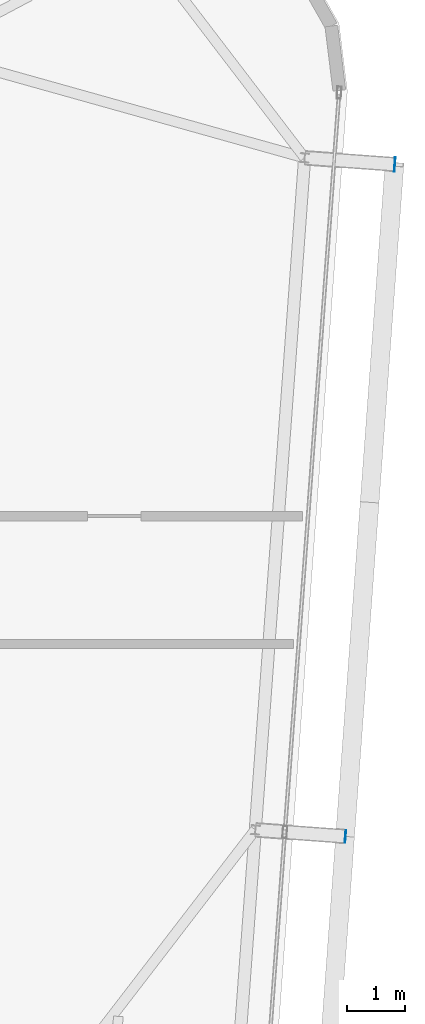
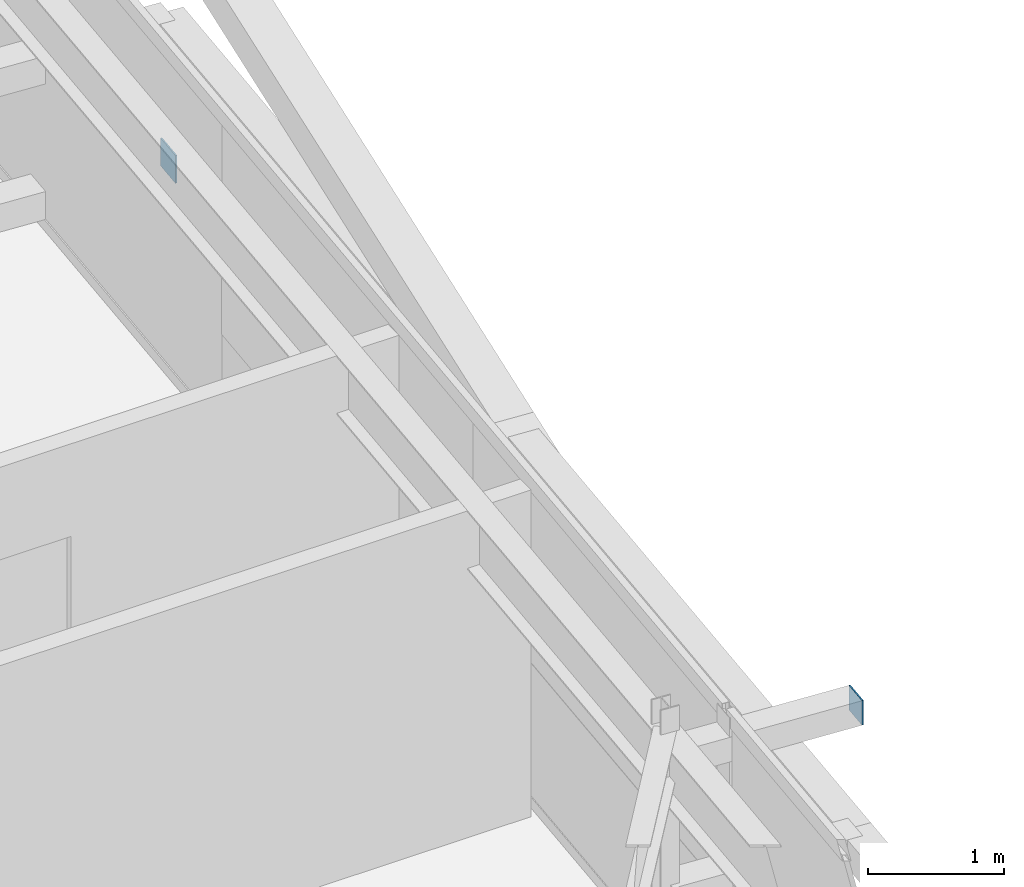
# One storey, part 28 of 34: 2 plates.
"""IFC4 building model written with IfcOpenShell, lengths in metres."""

from ifc_helpers import new_model, si_unit, direction, frame, origin, origin_2d, place, context, subcontext, project, spatial, rectangle, extrude, source, transform, mapped, material, layer, layer_set, type_object, element, save


model = new_model("IFC4")

# Units and contexts
model_context = context("Model", 3, precision=1e-05, world=origin(), true_north=direction((0.0, 1.0)))
body_context = subcontext(model_context, "Body", "Model", "MODEL_VIEW")
ifc_project = project(units=[si_unit("LENGTHUNIT", "METRE"), si_unit("AREAUNIT", "SQUARE_METRE"), si_unit("VOLUMEUNIT", "CUBIC_METRE"), si_unit("PLANEANGLEUNIT", "RADIAN"), si_unit("MASSUNIT", "GRAM", prefix="KILO")], contexts=[model_context])

# Site, building, storey
site_placement = place(None, origin())
site = spatial("IfcSite", under=ifc_project, at=site_placement, CompositionType="ELEMENT")
building_placement = place(site_placement, origin())
building = spatial("IfcBuilding", under=site, at=building_placement, Name="Taldren Reach Tower", CompositionType="ELEMENT")
storey_placement = place(building_placement, frame((0.0, 0.0, 246.050048828125)))
storey = spatial("IfcBuildingStorey", under=building, at=storey_placement, Name="L75", CompositionType="ELEMENT", Elevation=246.050048828125)

# Plates
ifc_material_1 = material(Name="Steel Gr 350 (C350L0)", Category="steel")
ifc_layer_1 = layer(ifc_material_1, 0.011962890625)
ifc_layer_set_1 = layer_set([ifc_layer_1], Name="Steel Gr 350 (C350L0)")
plate_type_1 = type_object("IfcPlateType", Name="PL-CAP-250", PredefinedType="SHEET", material=ifc_layer_set_1)
shared_shape_1 = source(origin(), body_context, "Body", "SweptSolid", [
    extrude(rectangle(XDim=0.011962890625, YDim=0.25, at=origin_2d()), origin(), (0.0, 0.0, 1.0), 0.25),
])
plate_1_placement = place(storey_placement, frame((59.0927734375, 30.0546875, 0.094970703125), z_axis=(0.0, 0.0, 1.0), x_axis=(0.997314477224, -0.073238197128, 0.0)))
element("IfcPlate", 1, at=plate_1_placement, inside=storey, type_object=plate_type_1, Name="Tie strut end cap plate B5-E3 L75", PredefinedType="SHEET", context=body_context, shape_type="MappedRepresentation", body=[
    mapped(shared_shape_1, transform((0.0, 0.0, 0.0), scale=1.0)),
])
ifc_material_2 = material(Name="Steel Gr 450 (C450L0)", Category="steel")
ifc_layer_2 = layer(ifc_material_2, 0.011962890625)
ifc_layer_set_2 = layer_set([ifc_layer_2], Name="Steel Gr 450 (C450L0)")
plate_type_2 = type_object("IfcPlateType", Name="PL-CAP-220", PredefinedType="SHEET", material=ifc_layer_set_2)
shared_shape_2 = source(origin(), body_context, "Body", "SweptSolid", [
    extrude(rectangle(XDim=0.011962890625, YDim=0.219970703125, at=origin_2d()), origin(), (0.0, 0.0, 1.0), 0.219970703125),
])
plate_2_placement = place(storey_placement, frame((58.2431640625, 18.48583984375, 2.5400390625), z_axis=(0.0, 0.0, 1.0), x_axis=(0.997314477224, -0.073238197128, 0.0)))
element("IfcPlate", 2, at=plate_2_placement, inside=storey, type_object=plate_type_2, Name="Tie strut end cap plate B5-E2 L75", PredefinedType="SHEET", context=body_context, shape_type="MappedRepresentation", body=[
    mapped(shared_shape_2, transform((0.0, 0.0, 0.0), scale=1.0)),
])

save(model, "model.ifc")
